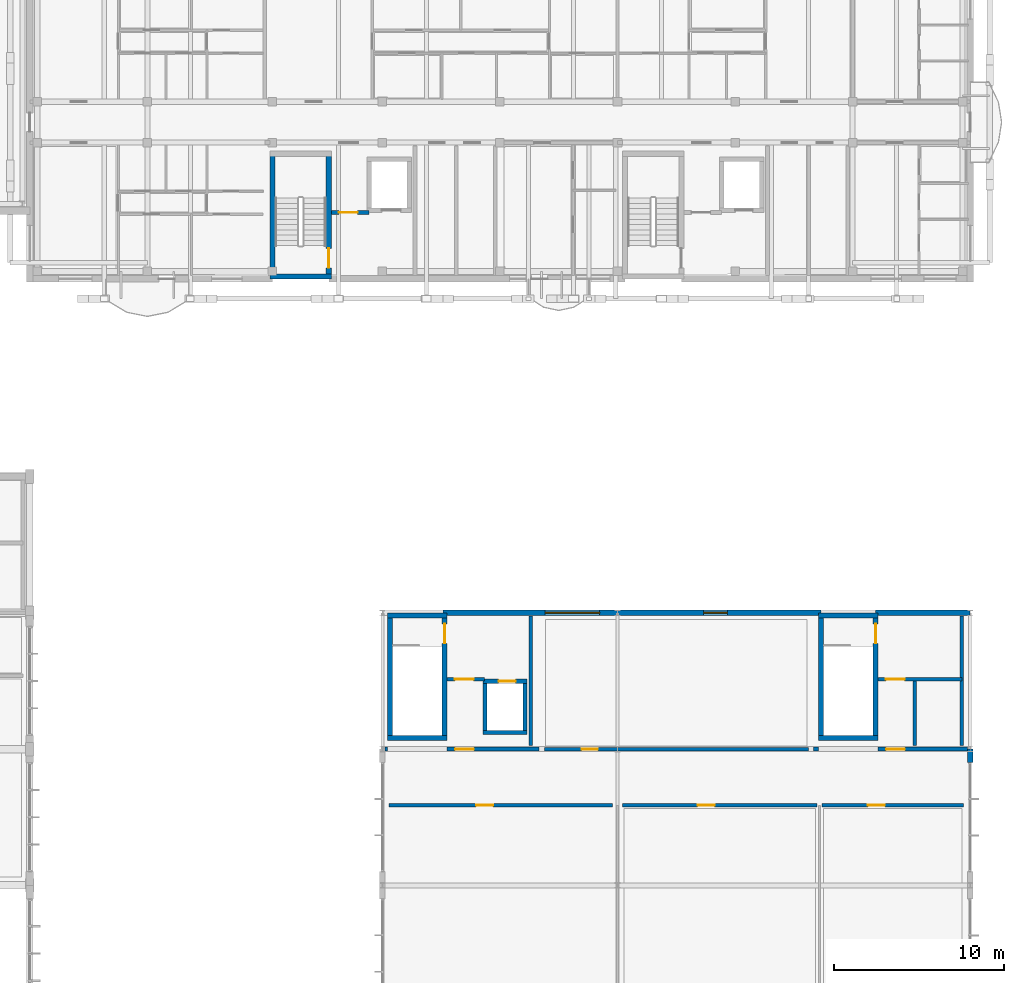
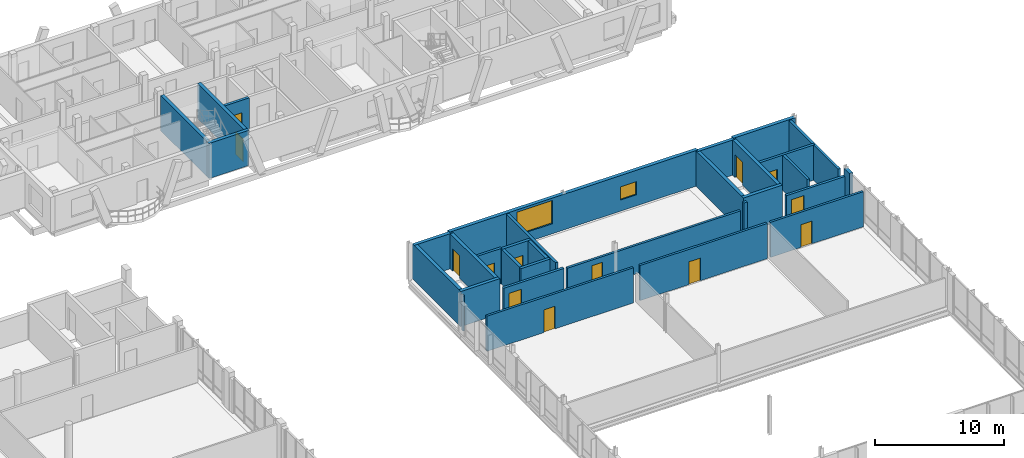
# One storey, part 163 of 189: 32 walls, 13 doors, 2 windows, 15 openings.
"""IFC4 building model written with IfcOpenShell, lengths in metres."""

from ifc_helpers import new_model, si_unit, direction, frame, frame_2d, origin, origin_with_axes, place, context, subcontext, project, spatial, rectangle, extrude, material, layer, layer_set, type_object, element, fill, save


model = new_model("IFC4")

# Units and contexts
model_context = context("Model", 3, precision=1e-05, world=origin(), true_north=direction((0.0, 1.0)))
body_context = subcontext(model_context, "Body", "Model", "MODEL_VIEW")
ifc_project = project(units=[si_unit("LENGTHUNIT", "METRE"), si_unit("AREAUNIT", "SQUARE_METRE"), si_unit("VOLUMEUNIT", "CUBIC_METRE"), si_unit("PLANEANGLEUNIT", "RADIAN"), si_unit("MASSUNIT", "GRAM", prefix="KILO")], contexts=[model_context])

# Site, building, storey
site_placement = place(None, origin())
site = spatial("IfcSite", under=ifc_project, at=site_placement, CompositionType="ELEMENT")
building_placement = place(site_placement, origin())
building = spatial("IfcBuilding", under=site, at=building_placement, Name="Zavelmont Quarter", CompositionType="ELEMENT")
storey_placement = place(building_placement, frame((0.0, 0.0, 4.39990234375)))
storey = spatial("IfcBuildingStorey", under=building, at=storey_placement, Name="L01", CompositionType="ELEMENT", Elevation=4.39990234375)

# Wall
ifc_material_1 = material(Name="Natural Belgian limestone", Category="masonry")
ifc_layer_1 = layer(ifc_material_1, 0.320068359375)
ifc_layer_set_1 = layer_set([ifc_layer_1], Name="Natural Belgian limestone")
wall_type_1 = type_object("IfcWallType", Name="EW05", PredefinedType="STANDARD", material=ifc_layer_set_1)
wall_1_placement = place(storey_placement, frame((168.0, 69.199951171875, 0.0), z_axis=(0.0, 0.0, 1.0), x_axis=(0.0, 1.0, 0.0)))
element("IfcWall", 1, at=wall_1_placement, inside=storey, type_object=wall_type_1, Name="L01 exterior limestone wall EW05", PredefinedType="STANDARD", context=body_context, shape_type="SweptSolid", body=[
    extrude(rectangle(XDim=0.800048828125, YDim=0.320068359375, at=frame_2d((0.39990234375, 0.0))), origin(), (0.0, 0.0, 1.0), 3.3701171875),
])

# Wall, openings, windows
wall_2_placement = place(storey_placement, frame((137.050048828125, 78.0, 0.0), z_axis=(0.0, 0.0, 1.0), x_axis=(1.0, 0.0, 0.0)))
wall_2 = element("IfcWall", 2, at=wall_2_placement, inside=storey, type_object=wall_type_1, Name="L01 exterior limestone wall EW05", PredefinedType="STANDARD", context=body_context, shape_type="SweptSolid", body=[
    extrude(rectangle(XDim=22.199951171875, YDim=0.320068359375, at=frame_2d((11.10009765625, 0.0))), origin(), (0.0, 0.0, 1.0), 3.3701171875),
])
opening_1_placement = place(wall_2_placement, frame((6.0048828125, 0.0, 0.949951171875)))
opening_1 = element("IfcOpeningElement", 3, at=opening_1_placement, cuts=wall_2, Name="Opening WN14", PredefinedType="OPENING", context=body_context, shape_type="SweptSolid", body=[
    extrude(rectangle(XDim=3.199951171875, YDim=2.199951171875, at=frame_2d((1.60009765625, 1.10009765625))), frame((0.0, 0.171875, 0.0), z_axis=(0.0, -1.0, 0.0), x_axis=(1.0, 0.0, 0.0)), (0.0, 0.0, 1.0), 0.343994140625),
])
opening_2_placement = place(wall_2_placement, frame((15.300048828125, 0.0, 1.050048828125)))
opening_2 = element("IfcOpeningElement", 4, at=opening_2_placement, cuts=wall_2, Name="Opening WN15", PredefinedType="OPENING", context=body_context, shape_type="SweptSolid", body=[
    extrude(rectangle(XDim=1.39990234375, YDim=1.25, at=frame_2d((0.699951171875, 0.625))), frame((0.0, 0.171875, 0.0), z_axis=(0.0, -1.0, 0.0), x_axis=(1.0, 0.0, 0.0)), (0.0, 0.0, 1.0), 0.343994140625),
])
ifc_material_2 = material(Name="Double low-E insulated glazing in thermally broken aluminium frame", Category="aluminium")
window_type_1 = type_object("IfcWindowType", Name="WN14", PartitioningType="SINGLE_PANEL", PredefinedType="WINDOW", material=ifc_material_2)
window_1_placement = place(opening_1_placement, origin_with_axes())
window_1 = element("IfcWindow", 5, at=window_1_placement, inside=storey, type_object=window_type_1, Name="L01 window WN14", OverallHeight=2.199951171875, OverallWidth=3.199951171875, PartitioningType="SINGLE_PANEL", PredefinedType="WINDOW", context=body_context, shape_type="SweptSolid", body=[
    extrude(rectangle(XDim=3.199951171875, YDim=2.199951171875, at=frame_2d((1.60009765625, 1.10009765625))), frame((0.0, 0.030029296875, 0.0), z_axis=(0.0, -1.0, 0.0), x_axis=(1.0, 0.0, 0.0)), (0.0, 0.0, 1.0), 0.06005859375),
])
fill(opening_1, window_1)
window_type_2 = type_object("IfcWindowType", Name="WN15", PartitioningType="SINGLE_PANEL", PredefinedType="WINDOW", material=ifc_material_2)
window_2_placement = place(opening_2_placement, origin_with_axes())
window_2 = element("IfcWindow", 6, at=window_2_placement, inside=storey, type_object=window_type_2, Name="L01 window WN15", OverallHeight=1.25, OverallWidth=1.39990234375, PartitioningType="SINGLE_PANEL", PredefinedType="WINDOW", context=body_context, shape_type="SweptSolid", body=[
    extrude(rectangle(XDim=1.39990234375, YDim=1.25, at=frame_2d((0.699951171875, 0.625))), frame((0.0, 0.030029296875, 0.0), z_axis=(0.0, -1.0, 0.0), x_axis=(1.0, 0.0, 0.0)), (0.0, 0.0, 1.0), 0.06005859375),
])
fill(opening_2, window_2)

# Wall
wall_3_placement = place(storey_placement, frame((162.449951171875, 78.0, 0.0), z_axis=(0.0, 0.0, 1.0), x_axis=(1.0, 0.0, 0.0)))
element("IfcWall", 7, at=wall_3_placement, inside=storey, type_object=wall_type_1, Name="L01 exterior limestone wall EW05", PredefinedType="STANDARD", context=body_context, shape_type="SweptSolid", body=[
    extrude(rectangle(XDim=5.550048828125, YDim=0.320068359375, at=frame_2d((2.77490234375, 0.0))), origin(), (0.0, 0.0, 1.0), 3.3701171875),
])

# Wall, opening, door
ifc_material_3 = material(Name="Calcium-silicate blockwork and acoustic plaster", Category="masonry")
ifc_layer_2 = layer(ifc_material_3, 0.199951171875)
ifc_layer_set_2 = layer_set([ifc_layer_2], Name="Calcium-silicate blockwork and acoustic plaster")
wall_type_2 = type_object("IfcWallType", Name="IW01", PredefinedType="PARTITIONING", material=ifc_layer_set_2)
wall_4_placement = place(storey_placement, frame((133.89990234375, 66.699951171875, 0.0), z_axis=(0.0, 0.0, 1.0), x_axis=(1.0, 0.0, 0.0)))
wall_4 = element("IfcWall", 8, at=wall_4_placement, inside=storey, type_object=wall_type_2, Name="L01 Interior partition IW01", PredefinedType="PARTITIONING", context=body_context, shape_type="SweptSolid", body=[
    extrude(rectangle(XDim=13.10009765625, YDim=0.199951171875, at=frame_2d((6.550048828125, 0.0))), origin(), (0.0, 0.0, 1.0), 3.330078125),
])
opening_3_placement = place(wall_4_placement, frame((5.10009765625, 0.0, 0.0)))
opening_3 = element("IfcOpeningElement", 9, at=opening_3_placement, cuts=wall_4, Name="Opening DR07", PredefinedType="OPENING", context=body_context, shape_type="SweptSolid", body=[
    extrude(rectangle(XDim=1.0, YDim=2.14990234375, at=frame_2d((0.5, 1.074951171875))), frame((0.0, 0.11181640625, 0.0), z_axis=(0.0, -1.0, 0.0), x_axis=(1.0, 0.0, 0.0)), (0.0, 0.0, 1.0), 0.223876953125),
])
ifc_material_4 = material(Name="Solid-core oak fire leaf in steel frame", Category="steel")
door_type_1 = type_object("IfcDoorType", Name="DR07", OperationType="NOTDEFINED", PredefinedType="DOOR", material=ifc_material_4)
door_1_placement = place(opening_3_placement, frame((1.0, 0.0, 0.0), z_axis=(0.0, 0.0, 1.0), x_axis=(-1.0, 0.0, 0.0)))
door_1 = element("IfcDoor", 10, at=door_1_placement, inside=storey, type_object=door_type_1, Name="L01 door DR07", OperationType="SINGLE_SWING_LEFT", OverallHeight=2.14990234375, OverallWidth=1.0, PredefinedType="DOOR", context=body_context, shape_type="SweptSolid", body=[
    extrude(rectangle(XDim=1.0, YDim=2.14990234375, at=frame_2d((0.5, 1.074951171875))), frame((0.0, 0.02490234375, 0.0), z_axis=(0.0, -1.0, 0.0), x_axis=(1.0, 0.0, 0.0)), (0.0, 0.0, 1.0), 0.050048828125),
])
fill(opening_3, door_1)

wall_5_placement = place(storey_placement, frame((147.60009765625, 66.699951171875, 0.0), z_axis=(0.0, 0.0, 1.0), x_axis=(1.0, 0.0, 0.0)))
wall_5 = element("IfcWall", 11, at=wall_5_placement, inside=storey, type_object=wall_type_2, Name="L01 Interior partition IW01", PredefinedType="PARTITIONING", context=body_context, shape_type="SweptSolid", body=[
    extrude(rectangle(XDim=11.39990234375, YDim=0.199951171875, at=frame_2d((5.699951171875, 0.0))), origin(), (0.0, 0.0, 1.0), 3.330078125),
])
opening_4_placement = place(wall_5_placement, frame((4.39990234375, 0.0, 0.0)))
opening_4 = element("IfcOpeningElement", 12, at=opening_4_placement, cuts=wall_5, Name="Opening DR07", PredefinedType="OPENING", context=body_context, shape_type="SweptSolid", body=[
    extrude(rectangle(XDim=1.0, YDim=2.14990234375, at=frame_2d((0.5, 1.074951171875))), frame((0.0, 0.11181640625, 0.0), z_axis=(0.0, -1.0, 0.0), x_axis=(1.0, 0.0, 0.0)), (0.0, 0.0, 1.0), 0.223876953125),
])
door_2_placement = place(opening_4_placement, origin_with_axes())
door_2 = element("IfcDoor", 13, at=door_2_placement, inside=storey, type_object=door_type_1, Name="L01 door DR07", OperationType="SINGLE_SWING_LEFT", OverallHeight=2.14990234375, OverallWidth=1.0, PredefinedType="DOOR", context=body_context, shape_type="SweptSolid", body=[
    extrude(rectangle(XDim=1.0, YDim=2.14990234375, at=frame_2d((0.5, 1.074951171875))), frame((0.0, 0.02490234375, 0.0), z_axis=(0.0, -1.0, 0.0), x_axis=(1.0, 0.0, 0.0)), (0.0, 0.0, 1.0), 0.050048828125),
])
fill(opening_4, door_2)

wall_6_placement = place(storey_placement, frame((159.300048828125, 66.699951171875, 0.0), z_axis=(0.0, 0.0, 1.0), x_axis=(1.0, 0.0, 0.0)))
wall_6 = element("IfcWall", 14, at=wall_6_placement, inside=storey, type_object=wall_type_2, Name="L01 Interior partition IW01", PredefinedType="PARTITIONING", context=body_context, shape_type="SweptSolid", body=[
    extrude(rectangle(XDim=8.300048828125, YDim=0.199951171875, at=frame_2d((4.14990234375, 0.0))), origin(), (0.0, 0.0, 1.0), 3.330078125),
])
opening_5_placement = place(wall_6_placement, frame((2.699951171875, 0.0, 0.0)))
opening_5 = element("IfcOpeningElement", 15, at=opening_5_placement, cuts=wall_6, Name="Opening DR07", PredefinedType="OPENING", context=body_context, shape_type="SweptSolid", body=[
    extrude(rectangle(XDim=1.0, YDim=2.14990234375, at=frame_2d((0.5, 1.074951171875))), frame((0.0, 0.11181640625, 0.0), z_axis=(0.0, -1.0, 0.0), x_axis=(1.0, 0.0, 0.0)), (0.0, 0.0, 1.0), 0.223876953125),
])
door_3_placement = place(opening_5_placement, frame((1.0, 0.0, 0.0), z_axis=(0.0, 0.0, 1.0), x_axis=(-1.0, 0.0, 0.0)))
door_3 = element("IfcDoor", 16, at=door_3_placement, inside=storey, type_object=door_type_1, Name="L01 door DR07", OperationType="SINGLE_SWING_LEFT", OverallHeight=2.14990234375, OverallWidth=1.0, PredefinedType="DOOR", context=body_context, shape_type="SweptSolid", body=[
    extrude(rectangle(XDim=1.0, YDim=2.14990234375, at=frame_2d((0.5, 1.074951171875))), frame((0.0, 0.02490234375, 0.0), z_axis=(0.0, -1.0, 0.0), x_axis=(1.0, 0.0, 0.0)), (0.0, 0.0, 1.0), 0.050048828125),
])
fill(opening_5, door_3)

wall_7_placement = place(storey_placement, frame((143.0, 70.0, 0.0), z_axis=(0.0, 0.0, 1.0), x_axis=(1.0, 0.0, 0.0)))
wall_7 = element("IfcWall", 17, at=wall_7_placement, inside=storey, type_object=wall_type_2, Name="L01 Interior partition IW01", PredefinedType="PARTITIONING", context=body_context, shape_type="SweptSolid", body=[
    extrude(rectangle(XDim=15.5, YDim=0.199951171875, at=frame_2d((7.75, 0.0))), origin(), (0.0, 0.0, 1.0), 2.690185546875),
])
opening_6_placement = place(wall_7_placement, frame((2.199951171875, 0.0, 0.0)))
opening_6 = element("IfcOpeningElement", 18, at=opening_6_placement, cuts=wall_7, Name="Opening DR02", PredefinedType="OPENING", context=body_context, shape_type="SweptSolid", body=[
    extrude(rectangle(XDim=0.949951171875, YDim=2.14990234375, at=frame_2d((0.47509765625, 1.074951171875))), frame((0.0, 0.11181640625, 0.0), z_axis=(0.0, -1.0, 0.0), x_axis=(1.0, 0.0, 0.0)), (0.0, 0.0, 1.0), 0.223876953125),
])
door_type_2 = type_object("IfcDoorType", Name="DR02", OperationType="NOTDEFINED", PredefinedType="DOOR", material=ifc_material_4)
door_4_placement = place(opening_6_placement, origin_with_axes())
door_4 = element("IfcDoor", 19, at=door_4_placement, inside=storey, type_object=door_type_2, Name="L01 door DR02", OperationType="SINGLE_SWING_LEFT", OverallHeight=2.14990234375, OverallWidth=0.949951171875, PredefinedType="DOOR", context=body_context, shape_type="SweptSolid", body=[
    extrude(rectangle(XDim=0.949951171875, YDim=2.14990234375, at=frame_2d((0.47509765625, 1.074951171875))), frame((0.0, 0.02490234375, 0.0), z_axis=(0.0, -1.0, 0.0), x_axis=(1.0, 0.0, 0.0)), (0.0, 0.0, 1.0), 0.050048828125),
])
fill(opening_6, door_4)

ifc_material_5 = material(Name="Reinforced masonry fire compartment wall", Category="masonry")
ifc_layer_3 = layer(ifc_material_5, 0.22509765625)
ifc_layer_set_3 = layer_set([ifc_layer_3], Name="Reinforced masonry fire compartment wall")
wall_type_3 = type_object("IfcWallType", Name="IW02", PredefinedType="PARTITIONING", material=ifc_layer_set_3)
wall_8_placement = place(storey_placement, frame((130.5, 101.5, 0.0), z_axis=(0.0, 0.0, 1.0), x_axis=(1.0, 0.0, 0.0)))
wall_8 = element("IfcWall", 20, at=wall_8_placement, inside=storey, type_object=wall_type_3, Name="L01 Firefighting lobby threshold wall IW02", PredefinedType="PARTITIONING", context=body_context, shape_type="SweptSolid", body=[
    extrude(rectangle(XDim=2.199951171875, YDim=0.22509765625, at=frame_2d((1.10009765625, 0.0))), origin(), (0.0, 0.0, 1.0), 3.330078125),
])
opening_7_placement = place(wall_8_placement, frame((0.449951171875, 0.0, 0.0)))
opening_7 = element("IfcOpeningElement", 21, at=opening_7_placement, cuts=wall_8, Name="Opening DR10", PredefinedType="OPENING", context=body_context, shape_type="SweptSolid", body=[
    extrude(rectangle(XDim=1.10009765625, YDim=2.14990234375, at=frame_2d((0.550048828125, 1.074951171875))), frame((0.0, 0.12451171875, 0.0), z_axis=(0.0, -1.0, 0.0), x_axis=(1.0, 0.0, 0.0)), (0.0, 0.0, 1.0), 0.2490234375),
])
ifc_material_6 = material(Name="Painted steel lobby fire door", Category="steel")
door_type_3 = type_object("IfcDoorType", Name="DR10", OperationType="NOTDEFINED", PredefinedType="DOOR", material=ifc_material_6)
door_5_placement = place(opening_7_placement, frame((1.10009765625, 0.0, 0.0), z_axis=(0.0, 0.0, 1.0), x_axis=(-1.0, 0.0, 0.0)))
door_5 = element("IfcDoor", 22, at=door_5_placement, inside=storey, type_object=door_type_3, Name="Firefighting lobby fire door", OperationType="SINGLE_SWING_LEFT", OverallHeight=2.14990234375, OverallWidth=1.10009765625, PredefinedType="DOOR", context=body_context, shape_type="SweptSolid", body=[
    extrude(rectangle(XDim=1.10009765625, YDim=2.14990234375, at=frame_2d((0.550048828125, 1.074951171875))), frame((0.0, 0.02490234375, 0.0), z_axis=(0.0, -1.0, 0.0), x_axis=(1.0, 0.0, 0.0)), (0.0, 0.0, 1.0), 0.050048828125),
])
fill(opening_7, door_5)

# Wall
wall_9_placement = place(storey_placement, frame((142.2099609375, 70.199951171875, 0.0), z_axis=(0.0, 0.0, 1.0), x_axis=(0.0, 1.0, 0.0)))
element("IfcWall", 23, at=wall_9_placement, inside=storey, type_object=wall_type_3, Name="L01 Firefighting lobby enclosure wall IW02", PredefinedType="PARTITIONING", context=body_context, shape_type="SweptSolid", body=[
    extrude(rectangle(XDim=7.60009765625, YDim=0.22509765625, at=frame_2d((3.800048828125, 0.0))), origin(), (0.0, 0.0, 1.0), 3.330078125),
])

# Wall, opening, door
wall_10_placement = place(storey_placement, frame((137.300048828125, 74.10009765625, 0.0), z_axis=(0.0, 0.0, 1.0), x_axis=(1.0, 0.0, 0.0)))
wall_10 = element("IfcWall", 24, at=wall_10_placement, inside=storey, type_object=wall_type_3, Name="L01 Firefighting lobby threshold wall IW02", PredefinedType="PARTITIONING", context=body_context, shape_type="SweptSolid", body=[
    extrude(rectangle(XDim=2.199951171875, YDim=0.22509765625, at=frame_2d((1.10009765625, 0.0))), origin(), (0.0, 0.0, 1.0), 3.330078125),
])
opening_8_placement = place(wall_10_placement, frame((0.449951171875, 0.0, 0.0)))
opening_8 = element("IfcOpeningElement", 25, at=opening_8_placement, cuts=wall_10, Name="Opening DR10", PredefinedType="OPENING", context=body_context, shape_type="SweptSolid", body=[
    extrude(rectangle(XDim=1.10009765625, YDim=2.14990234375, at=frame_2d((0.550048828125, 1.074951171875))), frame((0.0, 0.12451171875, 0.0), z_axis=(0.0, -1.0, 0.0), x_axis=(1.0, 0.0, 0.0)), (0.0, 0.0, 1.0), 0.2490234375),
])
door_6_placement = place(opening_8_placement, origin_with_axes())
door_6 = element("IfcDoor", 26, at=door_6_placement, inside=storey, type_object=door_type_3, Name="Firefighting lobby fire door", OperationType="SINGLE_SWING_LEFT", OverallHeight=2.14990234375, OverallWidth=1.10009765625, PredefinedType="DOOR", context=body_context, shape_type="SweptSolid", body=[
    extrude(rectangle(XDim=1.10009765625, YDim=2.14990234375, at=frame_2d((0.550048828125, 1.074951171875))), frame((0.0, 0.02490234375, 0.0), z_axis=(0.0, -1.0, 0.0), x_axis=(1.0, 0.0, 0.0)), (0.0, 0.0, 1.0), 0.050048828125),
])
fill(opening_8, door_6)

# Wall
wall_11_placement = place(storey_placement, frame((133.64990234375, 70.0, 0.0), z_axis=(0.0, 0.0, 1.0), x_axis=(1.0, 0.0, 0.0)))
element("IfcWall", 27, at=wall_11_placement, inside=storey, type_object=wall_type_3, Name="L01 Core corridor wall IW02", PredefinedType="PARTITIONING", context=body_context, shape_type="SweptSolid", body=[
    extrude(rectangle(XDim=0.150146484375, YDim=0.22509765625, at=frame_2d((0.0751953125, 0.0))), origin(), (0.0, 0.0, 1.0), 3.330078125),
])

# Wall, opening, door
wall_12_placement = place(storey_placement, frame((137.300048828125, 70.0, 0.0), z_axis=(0.0, 0.0, 1.0), x_axis=(1.0, 0.0, 0.0)))
wall_12 = element("IfcWall", 28, at=wall_12_placement, inside=storey, type_object=wall_type_3, Name="L01 Core corridor fire wall IW02", PredefinedType="PARTITIONING", context=body_context, shape_type="SweptSolid", body=[
    extrude(rectangle(XDim=5.39990234375, YDim=0.22509765625, at=frame_2d((2.699951171875, 0.0))), origin(), (0.0, 0.0, 1.0), 2.7900390625),
])
opening_9_placement = place(wall_12_placement, frame((0.47509765625, 0.0, 0.0)))
opening_9 = element("IfcOpeningElement", 29, at=opening_9_placement, cuts=wall_12, Name="Opening DR10", PredefinedType="OPENING", context=body_context, shape_type="SweptSolid", body=[
    extrude(rectangle(XDim=1.10009765625, YDim=2.14990234375, at=frame_2d((0.550048828125, 1.074951171875))), frame((0.0, 0.12451171875, 0.0), z_axis=(0.0, -1.0, 0.0), x_axis=(1.0, 0.0, 0.0)), (0.0, 0.0, 1.0), 0.2490234375),
])
door_7_placement = place(opening_9_placement, origin_with_axes())
door_7 = element("IfcDoor", 30, at=door_7_placement, inside=storey, type_object=door_type_3, Name="Core vestibule fire door", OperationType="SINGLE_SWING_RIGHT", OverallHeight=2.14990234375, OverallWidth=1.10009765625, PredefinedType="DOOR", context=body_context, shape_type="SweptSolid", body=[
    extrude(rectangle(XDim=1.10009765625, YDim=2.14990234375, at=frame_2d((0.550048828125, 1.074951171875))), frame((0.0, 0.02490234375, 0.0), z_axis=(0.0, -1.0, 0.0), x_axis=(1.0, 0.0, 0.0)), (0.0, 0.0, 1.0), 0.050048828125),
])
fill(opening_9, door_7)

# Walls
wall_13_placement = place(storey_placement, frame((167.510009765625, 70.199951171875, 0.0), z_axis=(0.0, 0.0, 1.0), x_axis=(0.0, 1.0, 0.0)))
element("IfcWall", 31, at=wall_13_placement, inside=storey, type_object=wall_type_3, Name="L01 Firefighting lobby enclosure wall IW02", PredefinedType="PARTITIONING", context=body_context, shape_type="SweptSolid", body=[
    extrude(rectangle(XDim=7.60009765625, YDim=0.22509765625, at=frame_2d((3.800048828125, 0.0))), origin(), (0.0, 0.0, 1.0), 3.330078125),
])
wall_14_placement = place(storey_placement, frame((164.75, 70.199951171875, 0.0), z_axis=(0.0, 0.0, 1.0), x_axis=(0.0, 1.0, 0.0)))
element("IfcWall", 32, at=wall_14_placement, inside=storey, type_object=wall_type_3, Name="L01 Vestibule side wall IW02", PredefinedType="PARTITIONING", context=body_context, shape_type="SweptSolid", body=[
    extrude(rectangle(XDim=3.800048828125, YDim=0.22509765625, at=frame_2d((1.89990234375, 0.0))), origin(), (0.0, 0.0, 1.0), 3.330078125),
])

# Wall, opening, door
wall_15_placement = place(storey_placement, frame((162.60009765625, 74.10009765625, 0.0), z_axis=(0.0, 0.0, 1.0), x_axis=(1.0, 0.0, 0.0)))
wall_15 = element("IfcWall", 33, at=wall_15_placement, inside=storey, type_object=wall_type_3, Name="L01 Firefighting lobby threshold wall IW02", PredefinedType="PARTITIONING", context=body_context, shape_type="SweptSolid", body=[
    extrude(rectangle(XDim=4.909912109375, YDim=0.22509765625, at=frame_2d((2.455078125, 0.0))), origin(), (0.0, 0.0, 1.0), 3.330078125),
])
opening_10_placement = place(wall_15_placement, frame((0.449951171875, 0.0, 0.0)))
opening_10 = element("IfcOpeningElement", 34, at=opening_10_placement, cuts=wall_15, Name="Opening DR10", PredefinedType="OPENING", context=body_context, shape_type="SweptSolid", body=[
    extrude(rectangle(XDim=1.10009765625, YDim=2.14990234375, at=frame_2d((0.550048828125, 1.074951171875))), frame((0.0, 0.12451171875, 0.0), z_axis=(0.0, -1.0, 0.0), x_axis=(1.0, 0.0, 0.0)), (0.0, 0.0, 1.0), 0.2490234375),
])
door_8_placement = place(opening_10_placement, origin_with_axes())
door_8 = element("IfcDoor", 35, at=door_8_placement, inside=storey, type_object=door_type_3, Name="Firefighting lobby fire door", OperationType="SINGLE_SWING_RIGHT", OverallHeight=2.14990234375, OverallWidth=1.10009765625, PredefinedType="DOOR", context=body_context, shape_type="SweptSolid", body=[
    extrude(rectangle(XDim=1.10009765625, YDim=2.14990234375, at=frame_2d((0.550048828125, 1.074951171875))), frame((0.0, 0.02490234375, 0.0), z_axis=(0.0, -1.0, 0.0), x_axis=(1.0, 0.0, 0.0)), (0.0, 0.0, 1.0), 0.050048828125),
])
fill(opening_10, door_8)

# Wall
wall_16_placement = place(storey_placement, frame((158.800048828125, 70.0, 0.0), z_axis=(0.0, 0.0, 1.0), x_axis=(1.0, 0.0, 0.0)))
element("IfcWall", 36, at=wall_16_placement, inside=storey, type_object=wall_type_3, Name="L01 Core corridor wall IW02", PredefinedType="PARTITIONING", context=body_context, shape_type="SweptSolid", body=[
    extrude(rectangle(XDim=0.300048828125, YDim=0.22509765625, at=frame_2d((0.14990234375, 0.0))), origin(), (0.0, 0.0, 1.0), 3.330078125),
])

# Wall, opening, door
wall_17_placement = place(storey_placement, frame((162.60009765625, 70.0, 0.0), z_axis=(0.0, 0.0, 1.0), x_axis=(1.0, 0.0, 0.0)))
wall_17 = element("IfcWall", 37, at=wall_17_placement, inside=storey, type_object=wall_type_3, Name="L01 Core corridor fire wall IW02", PredefinedType="PARTITIONING", context=body_context, shape_type="SweptSolid", body=[
    extrude(rectangle(XDim=5.25, YDim=0.22509765625, at=frame_2d((2.625, 0.0))), origin(), (0.0, 0.0, 1.0), 2.690185546875),
])
opening_11_placement = place(wall_17_placement, frame((0.47509765625, 0.0, 0.0)))
opening_11 = element("IfcOpeningElement", 38, at=opening_11_placement, cuts=wall_17, Name="Opening DR10", PredefinedType="OPENING", context=body_context, shape_type="SweptSolid", body=[
    extrude(rectangle(XDim=1.10009765625, YDim=2.14990234375, at=frame_2d((0.550048828125, 1.074951171875))), frame((0.0, 0.12451171875, 0.0), z_axis=(0.0, -1.0, 0.0), x_axis=(1.0, 0.0, 0.0)), (0.0, 0.0, 1.0), 0.2490234375),
])
door_9_placement = place(opening_11_placement, origin_with_axes())
door_9 = element("IfcDoor", 39, at=door_9_placement, inside=storey, type_object=door_type_3, Name="Core vestibule fire door", OperationType="SINGLE_SWING_LEFT", OverallHeight=2.14990234375, OverallWidth=1.10009765625, PredefinedType="DOOR", context=body_context, shape_type="SweptSolid", body=[
    extrude(rectangle(XDim=1.10009765625, YDim=2.14990234375, at=frame_2d((0.550048828125, 1.074951171875))), frame((0.0, 0.02490234375, 0.0), z_axis=(0.0, -1.0, 0.0), x_axis=(1.0, 0.0, 0.0)), (0.0, 0.0, 1.0), 0.050048828125),
])
fill(opening_11, door_9)

# Wall
ifc_material_7 = material(Name="Concrete C40/50", Category="concrete")
ifc_layer_4 = layer(ifc_material_7, 0.300048828125)
ifc_layer_set_4 = layer_set([ifc_layer_4], Name="Concrete C40/50")
wall_type_4 = type_object("IfcWallType", Name="SW01", PredefinedType="SHEAR", material=ifc_layer_set_4)
wall_18_placement = place(storey_placement, frame((127.050048828125, 97.60009765625, 0.0), z_axis=(0.0, 0.0, 1.0), x_axis=(0.0, 1.0, 0.0)))
element("IfcWall", 40, at=wall_18_placement, inside=storey, type_object=wall_type_4, Name="L01 ST05 west shear wall SW01", PredefinedType="SHEAR", context=body_context, shape_type="SweptSolid", body=[
    extrude(rectangle(XDim=7.5, YDim=0.300048828125, at=frame_2d((3.75, 0.0))), origin(), (0.0, 0.0, 1.0), 3.330078125),
])

# Wall, opening, door
wall_19_placement = place(storey_placement, frame((130.35009765625, 97.60009765625, 0.0), z_axis=(0.0, 0.0, 1.0), x_axis=(0.0, 1.0, 0.0)))
wall_19 = element("IfcWall", 41, at=wall_19_placement, inside=storey, type_object=wall_type_4, Name="L01 ST05 lobby shear wall SW01", PredefinedType="SHEAR", context=body_context, shape_type="SweptSolid", body=[
    extrude(rectangle(XDim=7.5, YDim=0.300048828125, at=frame_2d((3.75, 0.0))), origin(), (0.0, 0.0, 1.0), 3.330078125),
])
opening_12_placement = place(wall_19_placement, frame((0.64990234375, 0.0, 0.0)))
opening_12 = element("IfcOpeningElement", 42, at=opening_12_placement, cuts=wall_19, Name="Opening DR09", PredefinedType="OPENING", context=body_context, shape_type="SweptSolid", body=[
    extrude(rectangle(XDim=1.14990234375, YDim=2.14990234375, at=frame_2d((0.574951171875, 1.074951171875))), frame((0.0, 0.162109375, 0.0), z_axis=(0.0, -1.0, 0.0), x_axis=(1.0, 0.0, 0.0)), (0.0, 0.0, 1.0), 0.323974609375),
])
ifc_material_8 = material(Name="Painted steel stair-core fire door", Category="steel")
door_type_4 = type_object("IfcDoorType", Name="DR09", OperationType="NOTDEFINED", PredefinedType="DOOR", material=ifc_material_8)
door_10_placement = place(opening_12_placement, origin_with_axes())
door_10 = element("IfcDoor", 43, at=door_10_placement, inside=storey, type_object=door_type_4, Name="ST05 protected stair door", OperationType="SINGLE_SWING_RIGHT", OverallHeight=2.14990234375, OverallWidth=1.14990234375, PredefinedType="DOOR", context=body_context, shape_type="SweptSolid", body=[
    extrude(rectangle(XDim=1.14990234375, YDim=2.14990234375, at=frame_2d((0.574951171875, 1.074951171875))), frame((0.0, 0.02490234375, 0.0), z_axis=(0.0, -1.0, 0.0), x_axis=(1.0, 0.0, 0.0)), (0.0, 0.0, 1.0), 0.050048828125),
])
fill(opening_12, door_10)

# Walls
wall_20_placement = place(storey_placement, frame((133.800048828125, 70.64990234375, 0.0), z_axis=(0.0, 0.0, 1.0), x_axis=(1.0, 0.0, 0.0)))
element("IfcWall", 44, at=wall_20_placement, inside=storey, type_object=wall_type_4, Name="L01 ST11 corridor shear wall SW01", PredefinedType="SHEAR", context=body_context, shape_type="SweptSolid", body=[
    extrude(rectangle(XDim=3.5, YDim=0.300048828125, at=frame_2d((1.75, 0.0))), origin(), (0.0, 0.0, 1.0), 3.330078125),
])
wall_21_placement = place(storey_placement, frame((133.949951171875, 70.5, 0.0), z_axis=(0.0, 0.0, 1.0), x_axis=(0.0, 1.0, 0.0)))
element("IfcWall", 45, at=wall_21_placement, inside=storey, type_object=wall_type_4, Name="L01 ST11 west shear wall SW01", PredefinedType="SHEAR", context=body_context, shape_type="SweptSolid", body=[
    extrude(rectangle(XDim=7.5, YDim=0.300048828125, at=frame_2d((3.75, 0.0))), origin(), (0.0, 0.0, 1.0), 3.330078125),
])

# Wall, opening, door
wall_22_placement = place(storey_placement, frame((137.14990234375, 70.5, 0.0), z_axis=(0.0, 0.0, 1.0), x_axis=(0.0, 1.0, 0.0)))
wall_22 = element("IfcWall", 46, at=wall_22_placement, inside=storey, type_object=wall_type_4, Name="L01 ST11 lobby shear wall SW01", PredefinedType="SHEAR", context=body_context, shape_type="SweptSolid", body=[
    extrude(rectangle(XDim=7.5, YDim=0.300048828125, at=frame_2d((3.75, 0.0))), origin(), (0.0, 0.0, 1.0), 3.330078125),
])
opening_13_placement = place(wall_22_placement, frame((5.699951171875, 0.0, 0.0)))
opening_13 = element("IfcOpeningElement", 47, at=opening_13_placement, cuts=wall_22, Name="Opening DR09", PredefinedType="OPENING", context=body_context, shape_type="SweptSolid", body=[
    extrude(rectangle(XDim=1.14990234375, YDim=2.14990234375, at=frame_2d((0.574951171875, 1.074951171875))), frame((0.0, 0.162109375, 0.0), z_axis=(0.0, -1.0, 0.0), x_axis=(1.0, 0.0, 0.0)), (0.0, 0.0, 1.0), 0.323974609375),
])
door_11_placement = place(opening_13_placement, origin_with_axes())
door_11 = element("IfcDoor", 48, at=door_11_placement, inside=storey, type_object=door_type_4, Name="ST11 protected stair door", OperationType="SINGLE_SWING_LEFT", OverallHeight=2.14990234375, OverallWidth=1.14990234375, PredefinedType="DOOR", context=body_context, shape_type="SweptSolid", body=[
    extrude(rectangle(XDim=1.14990234375, YDim=2.14990234375, at=frame_2d((0.574951171875, 1.074951171875))), frame((0.0, 0.02490234375, 0.0), z_axis=(0.0, -1.0, 0.0), x_axis=(1.0, 0.0, 0.0)), (0.0, 0.0, 1.0), 0.050048828125),
])
fill(opening_13, door_11)

# Walls
wall_23_placement = place(storey_placement, frame((159.10009765625, 70.64990234375, 0.0), z_axis=(0.0, 0.0, 1.0), x_axis=(1.0, 0.0, 0.0)))
element("IfcWall", 49, at=wall_23_placement, inside=storey, type_object=wall_type_4, Name="L01 ST12 corridor shear wall SW01", PredefinedType="SHEAR", context=body_context, shape_type="SweptSolid", body=[
    extrude(rectangle(XDim=3.5, YDim=0.300048828125, at=frame_2d((1.75, 0.0))), origin(), (0.0, 0.0, 1.0), 3.330078125),
])
wall_24_placement = place(storey_placement, frame((159.25, 70.5, 0.0), z_axis=(0.0, 0.0, 1.0), x_axis=(0.0, 1.0, 0.0)))
element("IfcWall", 50, at=wall_24_placement, inside=storey, type_object=wall_type_4, Name="L01 ST12 west shear wall SW01", PredefinedType="SHEAR", context=body_context, shape_type="SweptSolid", body=[
    extrude(rectangle(XDim=7.5, YDim=0.300048828125, at=frame_2d((3.75, 0.0))), origin(), (0.0, 0.0, 1.0), 3.330078125),
])

# Wall, opening, door
wall_25_placement = place(storey_placement, frame((162.449951171875, 70.5, 0.0), z_axis=(0.0, 0.0, 1.0), x_axis=(0.0, 1.0, 0.0)))
wall_25 = element("IfcWall", 51, at=wall_25_placement, inside=storey, type_object=wall_type_4, Name="L01 ST12 lobby shear wall SW01", PredefinedType="SHEAR", context=body_context, shape_type="SweptSolid", body=[
    extrude(rectangle(XDim=7.5, YDim=0.300048828125, at=frame_2d((3.75, 0.0))), origin(), (0.0, 0.0, 1.0), 3.330078125),
])
opening_14_placement = place(wall_25_placement, frame((5.699951171875, 0.0, 0.0)))
opening_14 = element("IfcOpeningElement", 52, at=opening_14_placement, cuts=wall_25, Name="Opening DR09", PredefinedType="OPENING", context=body_context, shape_type="SweptSolid", body=[
    extrude(rectangle(XDim=1.14990234375, YDim=2.14990234375, at=frame_2d((0.574951171875, 1.074951171875))), frame((0.0, 0.162109375, 0.0), z_axis=(0.0, -1.0, 0.0), x_axis=(1.0, 0.0, 0.0)), (0.0, 0.0, 1.0), 0.323974609375),
])
door_12_placement = place(opening_14_placement, origin_with_axes())
door_12 = element("IfcDoor", 53, at=door_12_placement, inside=storey, type_object=door_type_4, Name="ST12 protected stair door", OperationType="SINGLE_SWING_LEFT", OverallHeight=2.14990234375, OverallWidth=1.14990234375, PredefinedType="DOOR", context=body_context, shape_type="SweptSolid", body=[
    extrude(rectangle(XDim=1.14990234375, YDim=2.14990234375, at=frame_2d((0.574951171875, 1.074951171875))), frame((0.0, 0.02490234375, 0.0), z_axis=(0.0, -1.0, 0.0), x_axis=(1.0, 0.0, 0.0)), (0.0, 0.0, 1.0), 0.050048828125),
])
fill(opening_14, door_12)

ifc_layer_5 = layer(ifc_material_7, 0.25)
ifc_layer_set_5 = layer_set([ifc_layer_5], Name="Concrete C40/50")
wall_type_5 = type_object("IfcWallType", Name="SW02", PredefinedType="SHEAR", material=ifc_layer_set_5)
wall_26_placement = place(storey_placement, frame((139.39990234375, 73.97509765625, 0.0), z_axis=(0.0, 0.0, 1.0), x_axis=(1.0, 0.0, 0.0)))
wall_26 = element("IfcWall", 54, at=wall_26_placement, inside=storey, type_object=wall_type_5, Name="L01 Lift LF10 landing shaft wall SW02", PredefinedType="SHEAR", context=body_context, shape_type="SweptSolid", body=[
    extrude(rectangle(XDim=2.60009765625, YDim=0.25, at=frame_2d((1.300048828125, 0.0))), origin(), (0.0, 0.0, 1.0), 3.330078125),
])
opening_15_placement = place(wall_26_placement, frame((0.925048828125, 0.0, 0.0)))
opening_15 = element("IfcOpeningElement", 55, at=opening_15_placement, cuts=wall_26, Name="Opening LD01", PredefinedType="OPENING", context=body_context, shape_type="SweptSolid", body=[
    extrude(rectangle(XDim=1.0, YDim=2.10009765625, at=frame_2d((0.5, 1.050048828125))), frame((0.0, 0.136962890625, 0.0), z_axis=(0.0, -1.0, 0.0), x_axis=(1.0, 0.0, 0.0)), (0.0, 0.0, 1.0), 0.27392578125),
])
ifc_material_9 = material(Name="Brushed stainless-steel automatic sliding landing door", Category="steel")
door_type_5 = type_object("IfcDoorType", Name="LD01", OperationType="SLIDING_TO_LEFT", PredefinedType="DOOR", material=ifc_material_9)
door_13_placement = place(opening_15_placement, origin_with_axes())
door_13 = element("IfcDoor", 56, at=door_13_placement, inside=storey, type_object=door_type_5, Name="Lift LF10 sliding landing door", OperationType="SLIDING_TO_LEFT", OverallHeight=2.10009765625, OverallWidth=1.0, PredefinedType="DOOR", context=body_context, shape_type="SweptSolid", body=[
    extrude(rectangle(XDim=1.0, YDim=2.10009765625, at=frame_2d((0.5, 1.050048828125))), frame((0.0, 0.02490234375, 0.0), z_axis=(0.0, -1.0, 0.0), x_axis=(1.0, 0.0, 0.0)), (0.0, 0.0, 1.0), 0.050048828125),
])
fill(opening_15, door_13)

# Walls
wall_27_placement = place(storey_placement, frame((139.39990234375, 70.97509765625, 0.0), z_axis=(0.0, 0.0, 1.0), x_axis=(1.0, 0.0, 0.0)))
element("IfcWall", 57, at=wall_27_placement, inside=storey, type_object=wall_type_5, Name="L01 Lift LF10 back shaft wall SW02", PredefinedType="SHEAR", context=body_context, shape_type="SweptSolid", body=[
    extrude(rectangle(XDim=2.60009765625, YDim=0.25, at=frame_2d((1.300048828125, 0.0))), origin(), (0.0, 0.0, 1.0), 3.330078125),
])
for number, where, z_axis, x_axis, name in (
    (58, (139.52490234375, 70.85009765625, 0.0), (0.0, 0.0, 1.0), (0.0, 1.0, 0.0), "L01 Lift LF10 west shaft wall SW02"),
    (59, (141.875, 70.85009765625, 0.0), (0.0, 0.0, 1.0), (0.0, 1.0, 0.0), "L01 Lift LF10 east shaft wall SW02"),
):
    element("IfcWall", number, at=place(storey_placement, frame(where, z_axis=z_axis, x_axis=x_axis)), inside=storey, type_object=wall_type_5, Name=name, PredefinedType="SHEAR", context=body_context, shape_type="SweptSolid", body=[
        extrude(rectangle(XDim=3.25, YDim=0.25, at=frame_2d((1.625, 0.0))), origin(), (0.0, 0.0, 1.0), 3.330078125),
    ])
ifc_layer_6 = layer(ifc_material_7, 0.300048828125)
ifc_layer_set_6 = layer_set([ifc_layer_6], Name="Concrete C40/50")
wall_type_6 = type_object("IfcWallType", Name="SW03", PredefinedType="SHEAR", material=ifc_layer_set_6)
wall_28_placement = place(storey_placement, frame((126.89990234375, 97.75, 0.0), z_axis=(0.0, 0.0, 1.0), x_axis=(1.0, 0.0, 0.0)))
element("IfcWall", 60, at=wall_28_placement, inside=storey, type_object=wall_type_6, Name="L01 ST05 outer shear wall SW03", PredefinedType="SHEAR", context=body_context, shape_type="SweptSolid", body=[
    extrude(rectangle(XDim=3.60009765625, YDim=0.300048828125, at=frame_2d((1.800048828125, 0.0))), origin(), (0.0, 0.0, 1.0), 3.330078125),
])
for number, where, z_axis, x_axis, name in (
    (61, (133.800048828125, 77.85009765625, 0.0), (0.0, 0.0, 1.0), (1.0, 0.0, 0.0), "L01 ST11 outer shear wall SW03"),
    (62, (159.10009765625, 77.85009765625, 0.0), (0.0, 0.0, 1.0), (1.0, 0.0, 0.0), "L01 ST12 outer shear wall SW03"),
):
    element("IfcWall", number, at=place(storey_placement, frame(where, z_axis=z_axis, x_axis=x_axis)), inside=storey, type_object=wall_type_6, Name=name, PredefinedType="SHEAR", context=body_context, shape_type="SweptSolid", body=[
        extrude(rectangle(XDim=3.5, YDim=0.300048828125, at=frame_2d((1.75, 0.0))), origin(), (0.0, 0.0, 1.0), 3.330078125),
    ])

save(model, "model.ifc")
